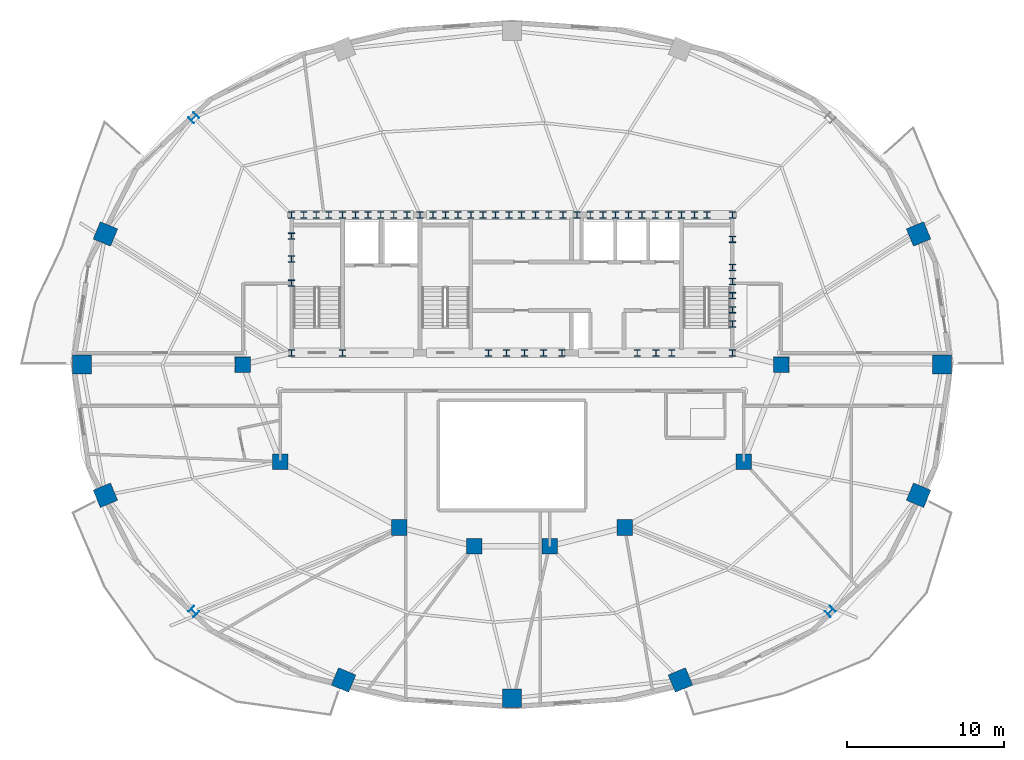
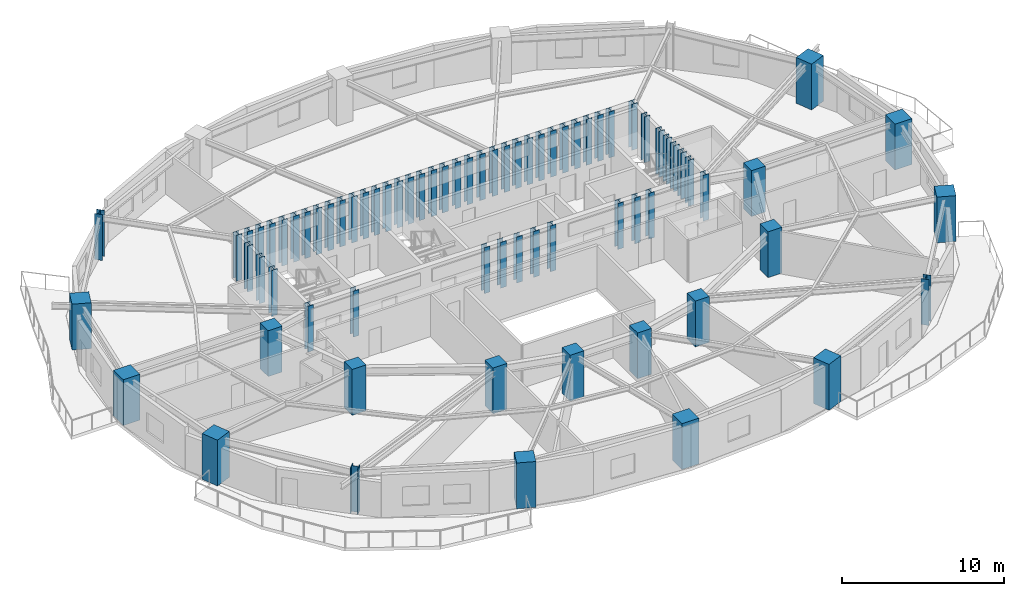
# One storey, part 1 of 11: 74 columns.
"""IFC4 building model written with IfcOpenShell, lengths in metres."""

from ifc_helpers import new_model, si_unit, direction, frame, origin, origin_2d, place, context, subcontext, project, spatial, rectangle, i_section, extrude, material, material_profile, profile_set, type_object, element, save


model = new_model("IFC4")

# Units and contexts
model_context = context("Model", 3, precision=1e-05, world=origin(), true_north=direction((0.0, 1.0)))
body_context = subcontext(model_context, "Body", "Model", "MODEL_VIEW")
ifc_project = project(units=[si_unit("LENGTHUNIT", "METRE"), si_unit("AREAUNIT", "SQUARE_METRE"), si_unit("VOLUMEUNIT", "CUBIC_METRE"), si_unit("PLANEANGLEUNIT", "RADIAN"), si_unit("MASSUNIT", "GRAM", prefix="KILO")], contexts=[model_context])

# Site, building, storey
site_placement = place(None, origin())
site = spatial("IfcSite", under=ifc_project, at=site_placement, CompositionType="ELEMENT")
building_placement = place(site_placement, origin())
building = spatial("IfcBuilding", under=site, at=building_placement, Name="Haldorwick Loom Tower", CompositionType="ELEMENT")
storey_placement = place(building_placement, frame((0.0, 0.0, 208.300048828125)))
storey = spatial("IfcBuildingStorey", under=building, at=storey_placement, Name="L56", CompositionType="ELEMENT", Elevation=208.300048828125)

# Columns
ifc_material_1 = material(Name="Concrete C60 (60 MPa)", Category="concrete")
ifc_material_profile_1 = material_profile(ifc_material_1, rectangle(XDim=1.0, YDim=1.0, at=origin_2d()), Name="RC1000X1000", Category="concrete")
ifc_profile_set_1 = profile_set([ifc_material_profile_1], Name="Concrete C60 (60 MPa)")
column_type_1 = type_object("IfcColumnType", Name="STR-COL-RC1000", PredefinedType="COLUMN", material=ifc_profile_set_1)
for number, where, z_axis, x_axis, name in (
    (1, (53.199951171875, 26.0, 0.0), (0.0, 0.0, 1.0), (1.0, 0.0, 0.0), "L56 Inner Column IC-01"),
    (2, (50.800048828125, 19.800048828125, 0.0), (0.0, 0.0, 1.0), (1.0, 0.0, 0.0), "L56 Inner Column IC-02"),
    (3, (43.199951171875, 15.60009765625, 0.0), (0.0, 0.0, 1.0), (1.0, 0.0, 0.0), "L56 Inner Column IC-03"),
    (4, (38.39990234375, 14.39990234375, 0.0), (0.0, 0.0, 1.0), (1.0, 0.0, 0.0), "L56 Inner Column IC-04"),
    (5, (33.60009765625, 14.39990234375, 0.0), (0.0, 0.0, 1.0), (1.0, 0.0, 0.0), "L56 Inner Column IC-05"),
    (6, (28.800048828125, 15.60009765625, 0.0), (0.0, 0.0, 1.0), (1.0, 0.0, 0.0), "L56 Inner Column IC-06"),
    (7, (21.199951171875, 19.800048828125, 0.0), (0.0, 0.0, 1.0), (1.0, 0.0, 0.0), "L56 Inner Column IC-07"),
    (8, (18.800048828125, 26.0, 0.0), (0.0, 0.0, 1.0), (1.0, 0.0, 0.0), "L56 Inner Column IC-08"),
):
    element("IfcColumn", number, at=place(storey_placement, frame(where, z_axis=z_axis, x_axis=x_axis)), inside=storey, type_object=column_type_1, Name=name, PredefinedType="COLUMN", context=body_context, shape_type="SweptSolid", body=[
        extrude(rectangle(XDim=1.0, YDim=1.0, at=origin_2d()), origin(), (0.0, 0.0, 1.0), 3.449951171875),
    ])
ifc_material_profile_2 = material_profile(ifc_material_1, rectangle(XDim=1.199951171875, YDim=1.199951171875, at=origin_2d()), Name="RC1200X1200", Category="concrete")
ifc_profile_set_2 = profile_set([ifc_material_profile_2], Name="Concrete C60 (60 MPa)")
column_type_2 = type_object("IfcColumnType", Name="STR-COL-RC1200", PredefinedType="COLUMN", material=ifc_profile_set_2)
for number, where, z_axis, x_axis, name in (
    (9, (63.46630859375, 26.0, 0.0), (0.0, 0.0, 1.0), (1.0, 0.0, 0.0), "L56 Perimeter Pier Column P01"),
    (10, (61.9609375, 34.342529296875, 0.0), (0.0, 0.0, 1.0), (0.923879532511, 0.382683432365, 0.0), "L56 Perimeter Pier Column P02"),
    (11, (10.0390625, 34.342529296875, 0.0), (0.0, 0.0, 1.0), (-0.923879532511, 0.382683432365, 0.0), "L56 Perimeter Pier Column P08"),
    (12, (8.53369140625, 26.0, 0.0), (0.0, 0.0, 1.0), (-1.0, 0.0, 0.0), "L56 Perimeter Pier Column P09"),
    (13, (10.0390625, 17.657470703125, 0.0), (0.0, 0.0, 1.0), (-0.923879532511, -0.382683432365, 0.0), "L56 Perimeter Pier Column P10"),
    (14, (25.24658203125, 5.859375, 0.0), (0.0, 0.0, 1.0), (-0.382683432365, -0.923879532511, 0.0), "L56 Perimeter Pier Column P12"),
    (15, (36.0, 4.695068359375, 0.0), (0.0, 0.0, 1.0), (0.0, -1.0, 0.0), "L56 Perimeter Pier Column P13"),
    (16, (46.75341796875, 5.859375, 0.0), (0.0, 0.0, 1.0), (0.382683432365, -0.923879532511, 0.0), "L56 Perimeter Pier Column P14"),
    (17, (61.9609375, 17.657470703125, 0.0), (0.0, 0.0, 1.0), (0.923879532511, -0.382683432365, 0.0), "L56 Perimeter Pier Column P16"),
):
    element("IfcColumn", number, at=place(storey_placement, frame(where, z_axis=z_axis, x_axis=x_axis)), inside=storey, type_object=column_type_2, Name=name, PredefinedType="COLUMN", context=body_context, shape_type="SweptSolid", body=[
        extrude(rectangle(XDim=1.199951171875, YDim=1.199951171875, at=origin_2d()), origin(), (0.0, 0.0, 1.0), 3.449951171875),
    ])
ifc_material_2 = material(Name="Steel CSA G40.21 350W", Category="steel")
ifc_material_profile_3 = material_profile(ifc_material_2, i_section(OverallWidth=0.406005859375, OverallDepth=0.416015625, WebThickness=0.024169921875, FlangeThickness=0.03857421875, at=origin_2d()), Name="W360X382", Category="steel")
ifc_profile_set_3 = profile_set([ifc_material_profile_3], Name="Steel CSA G40.21 350W")
column_type_3 = type_object("IfcColumnType", Name="STR-COL-W360X382", PredefinedType="COLUMN", material=ifc_profile_set_3)
for number, where, z_axis, x_axis, name in (
    (18, (21.929931640625, 35.550048828125, 0.0), (0.0, 0.0, 1.0), (1.0, 0.0, 0.0), "L56 Core Pilaster CB-01"),
    (19, (23.5, 35.550048828125, 0.0), (0.0, 0.0, 1.0), (1.0, 0.0, 0.0), "L56 Core Pilaster CB-02"),
    (20, (25.169921875, 35.550048828125, 0.0), (0.0, 0.0, 1.0), (1.0, 0.0, 0.0), "L56 Core Pilaster CB-03"),
    (21, (26.800048828125, 35.550048828125, 0.0), (0.0, 0.0, 1.0), (1.0, 0.0, 0.0), "L56 Core Pilaster CB-04"),
    (22, (28.449951171875, 35.550048828125, 0.0), (0.0, 0.0, 1.0), (1.0, 0.0, 0.0), "L56 Core Pilaster CB-05"),
    (23, (30.1298828125, 35.550048828125, 0.0), (0.0, 0.0, 1.0), (1.0, 0.0, 0.0), "L56 Core Pilaster CB-06"),
    (24, (31.75, 35.550048828125, 0.0), (0.0, 0.0, 1.0), (1.0, 0.0, 0.0), "L56 Core Pilaster CB-07"),
    (25, (33.3701171875, 35.550048828125, 0.0), (0.0, 0.0, 1.0), (1.0, 0.0, 0.0), "L56 Core Pilaster CB-08"),
    (26, (34.949951171875, 35.550048828125, 0.0), (0.0, 0.0, 1.0), (1.0, 0.0, 0.0), "L56 Core Pilaster CB-09"),
    (27, (36.60009765625, 35.550048828125, 0.0), (0.0, 0.0, 1.0), (1.0, 0.0, 0.0), "L56 Core Pilaster CB-10"),
    (28, (38.35009765625, 35.550048828125, 0.0), (0.0, 0.0, 1.0), (1.0, 0.0, 0.0), "L56 Core Pilaster CB-11"),
    (29, (40.14990234375, 35.550048828125, 0.0), (0.0, 0.0, 1.0), (1.0, 0.0, 0.0), "L56 Core Pilaster CB-12"),
    (30, (41.800048828125, 35.550048828125, 0.0), (0.0, 0.0, 1.0), (1.0, 0.0, 0.0), "L56 Core Pilaster CB-13"),
    (31, (43.449951171875, 35.550048828125, 0.0), (0.0, 0.0, 1.0), (1.0, 0.0, 0.0), "L56 Core Pilaster CB-14"),
    (32, (45.14990234375, 35.550048828125, 0.0), (0.0, 0.0, 1.0), (1.0, 0.0, 0.0), "L56 Core Pilaster CB-15"),
    (33, (46.830078125, 35.550048828125, 0.0), (0.0, 0.0, 1.0), (1.0, 0.0, 0.0), "L56 Core Pilaster CB-16"),
    (34, (48.449951171875, 35.550048828125, 0.0), (0.0, 0.0, 1.0), (1.0, 0.0, 0.0), "L56 Core Pilaster CB-17"),
    (35, (50.070068359375, 35.550048828125, 0.0), (0.0, 0.0, 1.0), (1.0, 0.0, 0.0), "L56 Core Pilaster CB-18"),
    (36, (21.929931640625, 26.75, 0.0), (0.0, 0.0, 1.0), (1.0, 0.0, 0.0), "L56 Core Pilaster CB-19"),
    (37, (25.169921875, 26.75, 0.0), (0.0, 0.0, 1.0), (1.0, 0.0, 0.0), "L56 Core Pilaster CB-20"),
    (38, (34.5, 26.75, 0.0), (0.0, 0.0, 1.0), (1.0, 0.0, 0.0), "L56 Core Pilaster CB-21"),
    (39, (36.800048828125, 26.75, 0.0), (0.0, 0.0, 1.0), (1.0, 0.0, 0.0), "L56 Core Pilaster CB-22"),
    (40, (39.199951171875, 26.75, 0.0), (0.0, 0.0, 1.0), (1.0, 0.0, 0.0), "L56 Core Pilaster CB-23"),
    (41, (45.199951171875, 26.75, 0.0), (0.0, 0.0, 1.0), (1.0, 0.0, 0.0), "L56 Core Pilaster CB-24"),
    (42, (50.070068359375, 26.75, 0.0), (0.0, 0.0, 1.0), (1.0, 0.0, 0.0), "L56 Core Pilaster CB-25"),
    (43, (21.929931640625, 31.199951171875, 0.0), (0.0, 0.0, 1.0), (1.0, 0.0, 0.0), "L56 Core Pilaster CB-26"),
    (44, (21.929931640625, 32.75, 0.0), (0.0, 0.0, 1.0), (1.0, 0.0, 0.0), "L56 Core Pilaster CB-27"),
    (45, (21.929931640625, 34.199951171875, 0.0), (0.0, 0.0, 1.0), (1.0, 0.0, 0.0), "L56 Core Pilaster CB-28"),
    (46, (50.070068359375, 28.60009765625, 0.0), (0.0, 0.0, 1.0), (1.0, 0.0, 0.0), "L56 Core Pilaster CB-29"),
    (47, (50.070068359375, 30.39990234375, 0.0), (0.0, 0.0, 1.0), (1.0, 0.0, 0.0), "L56 Core Pilaster CB-30"),
    (48, (50.070068359375, 32.199951171875, 0.0), (0.0, 0.0, 1.0), (1.0, 0.0, 0.0), "L56 Core Pilaster CB-31"),
    (49, (50.070068359375, 34.0, 0.0), (0.0, 0.0, 1.0), (1.0, 0.0, 0.0), "L56 Core Pilaster CB-32"),
    (50, (22.699951171875, 35.550048828125, 0.0), (0.0, 0.0, 1.0), (1.0, 0.0, 0.0), "L56 Core Pilaster CB-33"),
    (51, (27.6201171875, 35.550048828125, 0.0), (0.0, 0.0, 1.0), (1.0, 0.0, 0.0), "L56 Core Pilaster CB-34"),
    (52, (32.550048828125, 35.550048828125, 0.0), (0.0, 0.0, 1.0), (1.0, 0.0, 0.0), "L56 Core Pilaster CB-35"),
    (53, (37.5, 35.550048828125, 0.0), (0.0, 0.0, 1.0), (1.0, 0.0, 0.0), "L56 Core Pilaster CB-36"),
    (54, (42.6201171875, 35.550048828125, 0.0), (0.0, 0.0, 1.0), (1.0, 0.0, 0.0), "L56 Core Pilaster CB-37"),
    (55, (47.64990234375, 35.550048828125, 0.0), (0.0, 0.0, 1.0), (1.0, 0.0, 0.0), "L56 Core Pilaster CB-38"),
    (56, (24.300048828125, 35.550048828125, 0.0), (0.0, 0.0, 1.0), (1.0, 0.0, 0.0), "L56 Core Pilaster CB-39"),
    (57, (26.0, 35.550048828125, 0.0), (0.0, 0.0, 1.0), (1.0, 0.0, 0.0), "L56 Core Pilaster CB-40"),
    (58, (29.300048828125, 35.550048828125, 0.0), (0.0, 0.0, 1.0), (1.0, 0.0, 0.0), "L56 Core Pilaster CB-41"),
    (59, (30.949951171875, 35.550048828125, 0.0), (0.0, 0.0, 1.0), (1.0, 0.0, 0.0), "L56 Core Pilaster CB-42"),
    (60, (34.14990234375, 35.550048828125, 0.0), (0.0, 0.0, 1.0), (1.0, 0.0, 0.0), "L56 Core Pilaster CB-43"),
    (61, (35.800048828125, 35.550048828125, 0.0), (0.0, 0.0, 1.0), (1.0, 0.0, 0.0), "L56 Core Pilaster CB-44"),
    (62, (39.25, 35.550048828125, 0.0), (0.0, 0.0, 1.0), (1.0, 0.0, 0.0), "L56 Core Pilaster CB-45"),
    (63, (41.0, 35.550048828125, 0.0), (0.0, 0.0, 1.0), (1.0, 0.0, 0.0), "L56 Core Pilaster CB-46"),
    (64, (44.300048828125, 35.550048828125, 0.0), (0.0, 0.0, 1.0), (1.0, 0.0, 0.0), "L56 Core Pilaster CB-47"),
    (65, (46.0, 35.550048828125, 0.0), (0.0, 0.0, 1.0), (1.0, 0.0, 0.0), "L56 Core Pilaster CB-48"),
    (66, (50.070068359375, 29.5, 0.0), (0.0, 0.0, 1.0), (1.0, 0.0, 0.0), "L56 Core Pilaster CB-49"),
    (67, (50.070068359375, 31.300048828125, 0.0), (0.0, 0.0, 1.0), (1.0, 0.0, 0.0), "L56 Core Pilaster CB-50"),
    (68, (35.64990234375, 26.75, 0.0), (0.0, 0.0, 1.0), (1.0, 0.0, 0.0), "L56 Core Pilaster CB-51"),
    (69, (38.0, 26.75, 0.0), (0.0, 0.0, 1.0), (1.0, 0.0, 0.0), "L56 Core Pilaster CB-52"),
    (70, (44.0, 26.75, 0.0), (0.0, 0.0, 1.0), (1.0, 0.0, 0.0), "L56 Core Pilaster CB-53"),
    (71, (46.199951171875, 26.75, 0.0), (0.0, 0.0, 1.0), (1.0, 0.0, 0.0), "L56 Core Pilaster CB-54"),
):
    element("IfcColumn", number, at=place(storey_placement, frame(where, z_axis=z_axis, x_axis=x_axis)), inside=storey, type_object=column_type_3, Name=name, PredefinedType="COLUMN", context=body_context, shape_type="SweptSolid", body=[
        extrude(i_section(OverallWidth=0.406005859375, OverallDepth=0.416015625, WebThickness=0.024169921875, FlangeThickness=0.03857421875, at=origin_2d()), origin(), (0.0, 0.0, 1.0), 3.449951171875),
    ])
ifc_material_3 = material(Name="Steel CSA G40.21 350WT", Category="steel")
ifc_material_profile_4 = material_profile(ifc_material_3, i_section(OverallWidth=0.5, OverallDepth=0.5, WebThickness=0.02197265625, FlangeThickness=0.031982421875, at=origin_2d()), Name="WWF500X500", Category="steel")
ifc_profile_set_4 = profile_set([ifc_material_profile_4], Name="Steel CSA G40.21 350WT")
column_type_4 = type_object("IfcColumnType", Name="STR-COL-WWF500", PredefinedType="COLUMN", material=ifc_profile_set_4)
for number, where, z_axis, x_axis, name in (
    (72, (15.682373046875, 41.764892578125, 0.0), (0.0, 0.0, 1.0), (-0.707106781187, 0.707106781187, 0.0), "L56 Perimeter Pier Column P07"),
    (73, (15.682373046875, 10.235107421875, 0.0), (0.0, 0.0, 1.0), (-0.707106781187, -0.707106781187, 0.0), "L56 Perimeter Pier Column P11"),
    (74, (56.317626953125, 10.235107421875, 0.0), (0.0, 0.0, 1.0), (0.707106781187, -0.707106781187, 0.0), "L56 Perimeter Pier Column P15"),
):
    element("IfcColumn", number, at=place(storey_placement, frame(where, z_axis=z_axis, x_axis=x_axis)), inside=storey, type_object=column_type_4, Name=name, PredefinedType="COLUMN", context=body_context, shape_type="SweptSolid", body=[
        extrude(i_section(OverallWidth=0.5, OverallDepth=0.5, WebThickness=0.02197265625, FlangeThickness=0.031982421875, at=origin_2d()), origin(), (0.0, 0.0, 1.0), 3.449951171875),
    ])

save(model, "model.ifc")
